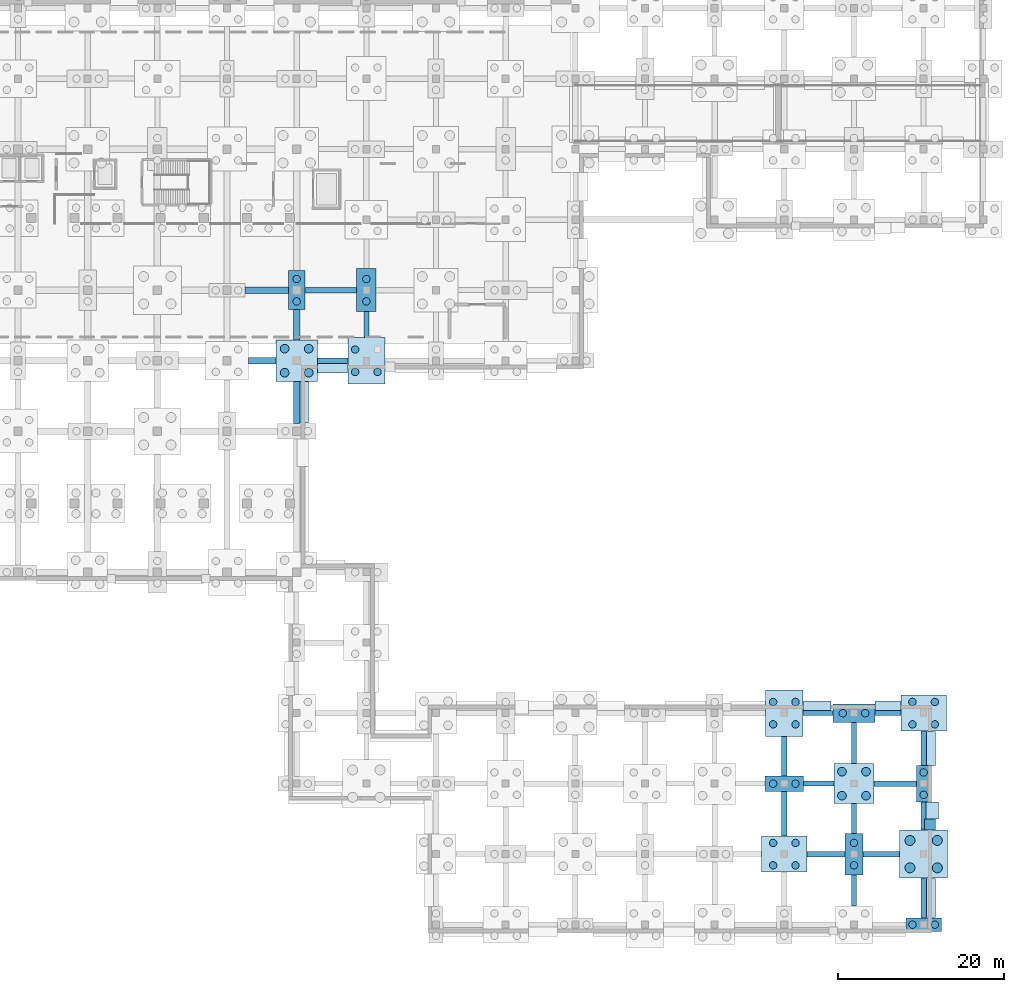
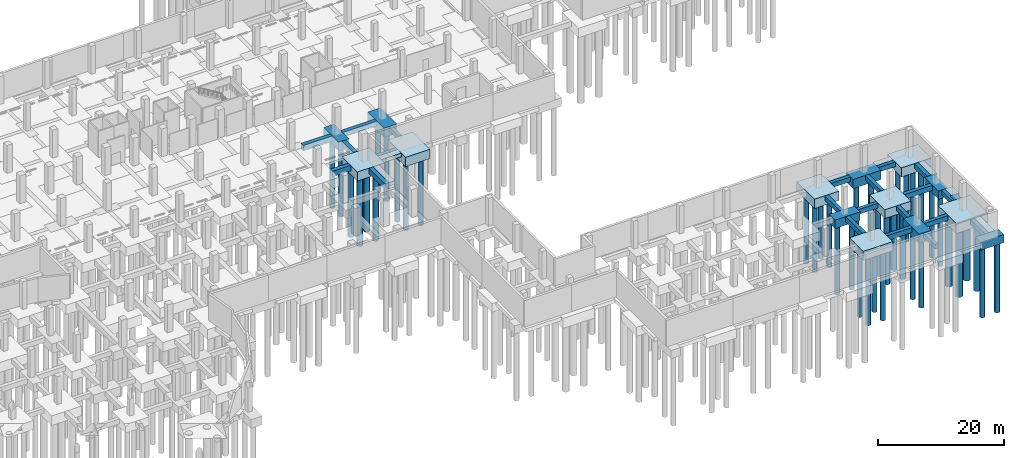
# One storey, part 14 of 34: 43 footings, 41 piles.
"""IFC4 building model written with IfcOpenShell, lengths in metres."""

from ifc_helpers import new_model, si_unit, direction, frame, origin, origin_2d, place, context, subcontext, project, spatial, rectangle, circle, extrude, material, material_profile, profile_set, type_object, element, save


model = new_model("IFC4")

# Units and contexts
model_context = context("Model", 3, precision=1e-05, world=origin(), true_north=direction((0.0, 1.0)))
body_context = subcontext(model_context, "Body", "Model", "MODEL_VIEW")
ifc_project = project(units=[si_unit("LENGTHUNIT", "METRE"), si_unit("AREAUNIT", "SQUARE_METRE"), si_unit("VOLUMEUNIT", "CUBIC_METRE"), si_unit("PLANEANGLEUNIT", "RADIAN"), si_unit("MASSUNIT", "GRAM", prefix="KILO")], contexts=[model_context])

# Site, building, storey
site_placement = place(None, origin())
site = spatial("IfcSite", under=ifc_project, at=site_placement, CompositionType="ELEMENT")
building_placement = place(site_placement, origin())
building = spatial("IfcBuilding", under=site, at=building_placement, Name="Solvento Point Concert Hall", CompositionType="ELEMENT")
storey_placement = place(building_placement, frame((0.0, 0.0, -5.39990234375)))
storey = spatial("IfcBuildingStorey", under=building, at=storey_placement, Name="B01", CompositionType="ELEMENT", Elevation=-5.39990234375)

# Piles
ifc_material_1 = material(Name="Concrete C40/50", Category="concrete")
ifc_material_profile_1 = material_profile(ifc_material_1, circle(Radius=0.52490234375, at=origin_2d()), Name="BP-1050")
ifc_profile_set_1 = profile_set([ifc_material_profile_1], Name="Concrete C40/50")
pile_type_1 = type_object("IfcPileType", Name="BoredPile_1050", PredefinedType="BORED", material=ifc_profile_set_1)
for number, where, z_axis, x_axis, name in (
    (1, (131.75, 66.550048828125, -1.66015625), (0.0, 0.0, -1.0), (1.0, 0.0, 0.0), "Bored pile BoredPile_1050 #451"),
    (2, (134.64990234375, 66.550048828125, -1.66015625), (0.0, 0.0, -1.0), (1.0, 0.0, 0.0), "Bored pile BoredPile_1050 #452"),
    (3, (131.75, 69.449951171875, -1.66015625), (0.0, 0.0, -1.0), (1.0, 0.0, 0.0), "Bored pile BoredPile_1050 #453"),
    (4, (134.64990234375, 69.449951171875, -1.66015625), (0.0, 0.0, -1.0), (1.0, 0.0, 0.0), "Bored pile BoredPile_1050 #454"),
):
    element("IfcPile", number, at=place(storey_placement, frame(where, z_axis=z_axis, x_axis=x_axis)), inside=storey, type_object=pile_type_1, Name=name, PredefinedType="BORED", context=body_context, shape_type="SweptSolid", body=[
        extrude(circle(Radius=0.52490234375, at=origin_2d()), origin(), (0.0, 0.0, 1.0), 13.43994140625),
    ])
for number, where, z_axis, x_axis, name in (
    (5, (198.949951171875, 15.550048828125, -1.6201171875), (0.0, 0.0, -1.0), (1.0, 0.0, 0.0), "Bored pile BoredPile_1050 #733"),
    (6, (201.85009765625, 15.550048828125, -1.6201171875), (0.0, 0.0, -1.0), (1.0, 0.0, 0.0), "Bored pile BoredPile_1050 #734"),
    (7, (198.949951171875, 18.449951171875, -1.6201171875), (0.0, 0.0, -1.0), (1.0, 0.0, 0.0), "Bored pile BoredPile_1050 #735"),
    (8, (201.85009765625, 18.449951171875, -1.6201171875), (0.0, 0.0, -1.0), (1.0, 0.0, 0.0), "Bored pile BoredPile_1050 #736"),
):
    element("IfcPile", number, at=place(storey_placement, frame(where, z_axis=z_axis, x_axis=x_axis)), inside=storey, type_object=pile_type_1, Name=name, PredefinedType="BORED", context=body_context, shape_type="SweptSolid", body=[
        extrude(circle(Radius=0.52490234375, at=origin_2d()), origin(), (0.0, 0.0, 1.0), 13.47998046875),
    ])
ifc_material_2 = material(Name="Concrete C40/50", Category="concrete")
ifc_material_profile_2 = material_profile(ifc_material_2, circle(Radius=0.60009765625, at=origin_2d()), Name="BP-1200")
ifc_profile_set_2 = profile_set([ifc_material_profile_2], Name="Concrete C40/50")
pile_type_2 = type_object("IfcPileType", Name="BoredPile_1200", PredefinedType="BORED", material=ifc_profile_set_2)
for number, where, z_axis, x_axis, name in (
    (9, (207.14990234375, 6.85009765625, -1.85009765625), (0.0, 0.0, -1.0), (1.0, 0.0, 0.0), "Bored pile BoredPile_1200 #763"),
    (10, (210.449951171875, 6.85009765625, -1.85009765625), (0.0, 0.0, -1.0), (1.0, 0.0, 0.0), "Bored pile BoredPile_1200 #764"),
    (11, (207.14990234375, 10.14990234375, -1.85009765625), (0.0, 0.0, -1.0), (1.0, 0.0, 0.0), "Bored pile BoredPile_1200 #765"),
    (12, (210.449951171875, 10.14990234375, -1.85009765625), (0.0, 0.0, -1.0), (1.0, 0.0, 0.0), "Bored pile BoredPile_1200 #766"),
):
    element("IfcPile", number, at=place(storey_placement, frame(where, z_axis=z_axis, x_axis=x_axis)), inside=storey, type_object=pile_type_2, Name=name, PredefinedType="BORED", context=body_context, shape_type="SweptSolid", body=[
        extrude(circle(Radius=0.60009765625, at=origin_2d()), origin(), (0.0, 0.0, 1.0), 13.25),
    ])
ifc_material_3 = material(Name="Concrete C40/50", Category="concrete")
ifc_material_profile_3 = material_profile(ifc_material_3, circle(Radius=0.449951171875, at=origin_2d()), Name="BP-900")
ifc_profile_set_3 = profile_set([ifc_material_profile_3], Name="Concrete C40/50")
pile_type_3 = type_object("IfcPileType", Name="BoredPile_900", PredefinedType="BORED", material=ifc_profile_set_3)
for number, where, z_axis, x_axis, name in (
    (13, (133.199951171875, 75.14990234375, -1.580078125), (0.0, 0.0, -1.0), (1.0, 0.0, 0.0), "Bored pile BoredPile_900 #455"),
    (14, (133.199951171875, 77.85009765625, -1.580078125), (0.0, 0.0, -1.0), (1.0, 0.0, 0.0), "Bored pile BoredPile_900 #456"),
):
    element("IfcPile", number, at=place(storey_placement, frame(where, z_axis=z_axis, x_axis=x_axis)), inside=storey, type_object=pile_type_3, Name=name, PredefinedType="BORED", context=body_context, shape_type="SweptSolid", body=[
        extrude(circle(Radius=0.449951171875, at=origin_2d()), origin(), (0.0, 0.0, 1.0), 13.52001953125),
    ])
for number, where, z_axis, x_axis, name in (
    (15, (140.25, 66.64990234375, -1.72021484375), (0.0, 0.0, -1.0), (1.0, 0.0, 0.0), "Bored pile BoredPile_900 #487"),
    (16, (142.949951171875, 66.64990234375, -1.72021484375), (0.0, 0.0, -1.0), (1.0, 0.0, 0.0), "Bored pile BoredPile_900 #488"),
    (17, (140.25, 69.35009765625, -1.72021484375), (0.0, 0.0, -1.0), (1.0, 0.0, 0.0), "Bored pile BoredPile_900 #489"),
):
    element("IfcPile", number, at=place(storey_placement, frame(where, z_axis=z_axis, x_axis=x_axis)), inside=storey, type_object=pile_type_3, Name=name, PredefinedType="BORED", context=body_context, shape_type="SweptSolid", body=[
        extrude(circle(Radius=0.449951171875, at=origin_2d()), origin(), (0.0, 0.0, 1.0), 13.3798828125),
    ])
for number, where, z_axis, x_axis, name in (
    (18, (141.60009765625, 75.14990234375, -1.739990234375), (0.0, 0.0, -1.0), (1.0, 0.0, 0.0), "Bored pile BoredPile_900 #491"),
    (19, (141.60009765625, 77.85009765625, -1.739990234375), (0.0, 0.0, -1.0), (1.0, 0.0, 0.0), "Bored pile BoredPile_900 #492"),
):
    element("IfcPile", number, at=place(storey_placement, frame(where, z_axis=z_axis, x_axis=x_axis)), inside=storey, type_object=pile_type_3, Name=name, PredefinedType="BORED", context=body_context, shape_type="SweptSolid", body=[
        extrude(circle(Radius=0.449951171875, at=origin_2d()), origin(), (0.0, 0.0, 1.0), 13.360107421875),
    ])
for number, where, z_axis, x_axis, name in (
    (20, (190.64990234375, 7.14990234375, -1.68017578125), (0.0, 0.0, -1.0), (1.0, 0.0, 0.0), "Bored pile BoredPile_900 #697"),
    (21, (193.35009765625, 7.14990234375, -1.68017578125), (0.0, 0.0, -1.0), (1.0, 0.0, 0.0), "Bored pile BoredPile_900 #698"),
    (22, (190.64990234375, 9.85009765625, -1.68017578125), (0.0, 0.0, -1.0), (1.0, 0.0, 0.0), "Bored pile BoredPile_900 #699"),
    (23, (193.35009765625, 9.85009765625, -1.68017578125), (0.0, 0.0, -1.0), (1.0, 0.0, 0.0), "Bored pile BoredPile_900 #700"),
):
    element("IfcPile", number, at=place(storey_placement, frame(where, z_axis=z_axis, x_axis=x_axis)), inside=storey, type_object=pile_type_3, Name=name, PredefinedType="BORED", context=body_context, shape_type="SweptSolid", body=[
        extrude(circle(Radius=0.449951171875, at=origin_2d()), origin(), (0.0, 0.0, 1.0), 13.419921875),
    ])
for number, where, z_axis, x_axis, name in (
    (24, (190.64990234375, 17.0, -1.550048828125), (0.0, 0.0, -1.0), (1.0, 0.0, 0.0), "Bored pile BoredPile_900 #701"),
    (25, (193.35009765625, 17.0, -1.550048828125), (0.0, 0.0, -1.0), (1.0, 0.0, 0.0), "Bored pile BoredPile_900 #702"),
):
    element("IfcPile", number, at=place(storey_placement, frame(where, z_axis=z_axis, x_axis=x_axis)), inside=storey, type_object=pile_type_3, Name=name, PredefinedType="BORED", context=body_context, shape_type="SweptSolid", body=[
        extrude(circle(Radius=0.449951171875, at=origin_2d()), origin(), (0.0, 0.0, 1.0), 13.550048828125),
    ])
for number, where, z_axis, x_axis, name in (
    (26, (190.64990234375, 24.14990234375, -1.72021484375), (0.0, 0.0, -1.0), (1.0, 0.0, 0.0), "Bored pile BoredPile_900 #703"),
    (27, (193.35009765625, 24.14990234375, -1.72021484375), (0.0, 0.0, -1.0), (1.0, 0.0, 0.0), "Bored pile BoredPile_900 #704"),
    (28, (190.64990234375, 26.85009765625, -1.72021484375), (0.0, 0.0, -1.0), (1.0, 0.0, 0.0), "Bored pile BoredPile_900 #705"),
    (29, (193.35009765625, 26.85009765625, -1.72021484375), (0.0, 0.0, -1.0), (1.0, 0.0, 0.0), "Bored pile BoredPile_900 #706"),
):
    element("IfcPile", number, at=place(storey_placement, frame(where, z_axis=z_axis, x_axis=x_axis)), inside=storey, type_object=pile_type_3, Name=name, PredefinedType="BORED", context=body_context, shape_type="SweptSolid", body=[
        extrude(circle(Radius=0.449951171875, at=origin_2d()), origin(), (0.0, 0.0, 1.0), 13.3798828125),
    ])
for number, where, z_axis, x_axis, name in (
    (30, (200.39990234375, 7.14990234375, -1.68017578125), (0.0, 0.0, -1.0), (1.0, 0.0, 0.0), "Bored pile BoredPile_900 #731"),
    (31, (200.39990234375, 9.85009765625, -1.68017578125), (0.0, 0.0, -1.0), (1.0, 0.0, 0.0), "Bored pile BoredPile_900 #732"),
):
    element("IfcPile", number, at=place(storey_placement, frame(where, z_axis=z_axis, x_axis=x_axis)), inside=storey, type_object=pile_type_3, Name=name, PredefinedType="BORED", context=body_context, shape_type="SweptSolid", body=[
        extrude(circle(Radius=0.449951171875, at=origin_2d()), origin(), (0.0, 0.0, 1.0), 13.419921875),
    ])
for number, where, z_axis, x_axis, name in (
    (32, (199.050048828125, 25.5, -1.7001953125), (0.0, 0.0, -1.0), (1.0, 0.0, 0.0), "Bored pile BoredPile_900 #737"),
    (33, (201.75, 25.5, -1.7001953125), (0.0, 0.0, -1.0), (1.0, 0.0, 0.0), "Bored pile BoredPile_900 #738"),
):
    element("IfcPile", number, at=place(storey_placement, frame(where, z_axis=z_axis, x_axis=x_axis)), inside=storey, type_object=pile_type_3, Name=name, PredefinedType="BORED", context=body_context, shape_type="SweptSolid", body=[
        extrude(circle(Radius=0.449951171875, at=origin_2d()), origin(), (0.0, 0.0, 1.0), 13.39990234375),
    ])
for number, where, z_axis, x_axis, name in (
    (34, (207.449951171875, 0.0, -1.4501953125), (0.0, 0.0, -1.0), (1.0, 0.0, 0.0), "Bored pile BoredPile_900 #761"),
    (35, (210.14990234375, 0.0, -1.4501953125), (0.0, 0.0, -1.0), (1.0, 0.0, 0.0), "Bored pile BoredPile_900 #762"),
):
    element("IfcPile", number, at=place(storey_placement, frame(where, z_axis=z_axis, x_axis=x_axis)), inside=storey, type_object=pile_type_3, Name=name, PredefinedType="BORED", context=body_context, shape_type="SweptSolid", body=[
        extrude(circle(Radius=0.449951171875, at=origin_2d()), origin(), (0.0, 0.0, 1.0), 13.64990234375),
    ])
for number, where, z_axis, x_axis, name in (
    (36, (208.800048828125, 15.64990234375, -1.47998046875), (0.0, 0.0, -1.0), (1.0, 0.0, 0.0), "Bored pile BoredPile_900 #767"),
    (37, (208.800048828125, 18.35009765625, -1.47998046875), (0.0, 0.0, -1.0), (1.0, 0.0, 0.0), "Bored pile BoredPile_900 #768"),
):
    element("IfcPile", number, at=place(storey_placement, frame(where, z_axis=z_axis, x_axis=x_axis)), inside=storey, type_object=pile_type_3, Name=name, PredefinedType="BORED", context=body_context, shape_type="SweptSolid", body=[
        extrude(circle(Radius=0.449951171875, at=origin_2d()), origin(), (0.0, 0.0, 1.0), 13.6201171875),
    ])
for number, where, z_axis, x_axis, name in (
    (38, (207.449951171875, 24.14990234375, -1.68017578125), (0.0, 0.0, -1.0), (1.0, 0.0, 0.0), "Bored pile BoredPile_900 #769"),
    (39, (210.14990234375, 24.14990234375, -1.68017578125), (0.0, 0.0, -1.0), (1.0, 0.0, 0.0), "Bored pile BoredPile_900 #770"),
    (40, (207.449951171875, 26.85009765625, -1.68017578125), (0.0, 0.0, -1.0), (1.0, 0.0, 0.0), "Bored pile BoredPile_900 #771"),
    (41, (210.14990234375, 26.85009765625, -1.68017578125), (0.0, 0.0, -1.0), (1.0, 0.0, 0.0), "Bored pile BoredPile_900 #772"),
):
    element("IfcPile", number, at=place(storey_placement, frame(where, z_axis=z_axis, x_axis=x_axis)), inside=storey, type_object=pile_type_3, Name=name, PredefinedType="BORED", context=body_context, shape_type="SweptSolid", body=[
        extrude(circle(Radius=0.449951171875, at=origin_2d()), origin(), (0.0, 0.0, 1.0), 13.419921875),
    ])

# Footings
ifc_material_4 = material(Name="Concrete C40/50", Category="concrete")
footing_type_1 = type_object("IfcFootingType", Name="PileCap_2A", PredefinedType="PILE_CAP", material=ifc_material_4)
footing_1_placement = place(storey_placement, frame((208.800048828125, 0.0, -1.55029296875), z_axis=(0.0, 0.0, 1.0), x_axis=(1.0, 0.0, 0.0)))
element("IfcFooting", 42, at=footing_1_placement, inside=storey, type_object=footing_type_1, Name="Pile cap PC-2A at G-26-A", PredefinedType="PILE_CAP", context=body_context, shape_type="SweptSolid", body=[
    extrude(rectangle(XDim=4.300048828125, YDim=1.64990234375, at=origin_2d()), origin(), (0.0, 0.0, 1.0), 1.550048828125),
])
ifc_material_5 = material(Name="Concrete C40/50", Category="concrete")
footing_type_2 = type_object("IfcFootingType", Name="PileCap_2B", PredefinedType="PILE_CAP", material=ifc_material_5)
footing_2_placement = place(storey_placement, frame((208.800048828125, 17.0, -1.580078125), z_axis=(0.0, 0.0, 1.0), x_axis=(1.0, 0.0, 0.0)))
element("IfcFooting", 43, at=footing_2_placement, inside=storey, type_object=footing_type_2, Name="Pile cap PC-2B at G-26-C", PredefinedType="PILE_CAP", context=body_context, shape_type="SweptSolid", body=[
    extrude(rectangle(XDim=1.719970703125, YDim=4.3798828125, at=origin_2d()), origin(), (0.0, 0.0, 1.0), 1.580078125),
])
ifc_material_6 = material(Name="Concrete C40/50", Category="concrete")
footing_type_3 = type_object("IfcFootingType", Name="PileCap_2E", PredefinedType="PILE_CAP", material=ifc_material_6)
footing_3_placement = place(storey_placement, frame((192.0, 17.0, -1.650146484375), z_axis=(0.0, 0.0, 1.0), x_axis=(1.0, 0.0, 0.0)))
element("IfcFooting", 44, at=footing_3_placement, inside=storey, type_object=footing_type_3, Name="Pile cap PC-2E at G-24-C", PredefinedType="PILE_CAP", context=body_context, shape_type="SweptSolid", body=[
    extrude(rectangle(XDim=4.6201171875, YDim=1.89990234375, at=origin_2d()), origin(), (0.0, 0.0, 1.0), 1.64990234375),
])
ifc_material_7 = material(Name="Concrete C40/50", Category="concrete")
footing_type_4 = type_object("IfcFootingType", Name="PileCap_2F", PredefinedType="PILE_CAP", material=ifc_material_7)
footing_4_placement = place(storey_placement, frame((133.199951171875, 76.5, -1.68017578125), z_axis=(0.0, 0.0, 1.0), x_axis=(1.0, 0.0, 0.0)))
element("IfcFooting", 45, at=footing_4_placement, inside=storey, type_object=footing_type_4, Name="Pile cap PC-2F at G-17-K", PredefinedType="PILE_CAP", context=body_context, shape_type="SweptSolid", body=[
    extrude(rectangle(XDim=1.9599609375, YDim=4.699951171875, at=origin_2d()), origin(), (0.0, 0.0, 1.0), 1.679931640625),
])
ifc_material_8 = material(Name="Concrete C40/50", Category="concrete")
footing_type_5 = type_object("IfcFootingType", Name="PileCap_2K", PredefinedType="PILE_CAP", material=ifc_material_8)
footing_5_placement = place(storey_placement, frame((200.39990234375, 8.5, -1.7802734375), z_axis=(0.0, 0.0, 1.0), x_axis=(1.0, 0.0, 0.0)))
element("IfcFooting", 46, at=footing_5_placement, inside=storey, type_object=footing_type_5, Name="Pile cap PC-2K at G-25-B", PredefinedType="PILE_CAP", context=body_context, shape_type="SweptSolid", body=[
    extrude(rectangle(XDim=2.199951171875, YDim=5.02001953125, at=origin_2d()), origin(), (0.0, 0.0, 1.0), 1.780029296875),
])
ifc_material_9 = material(Name="Concrete C40/50", Category="concrete")
footing_type_6 = type_object("IfcFootingType", Name="PileCap_2L", PredefinedType="PILE_CAP", material=ifc_material_9)
footing_6_placement = place(storey_placement, frame((200.39990234375, 25.5, -1.80029296875), z_axis=(0.0, 0.0, 1.0), x_axis=(1.0, 0.0, 0.0)))
element("IfcFooting", 47, at=footing_6_placement, inside=storey, type_object=footing_type_6, Name="Pile cap PC-2L at G-25-D", PredefinedType="PILE_CAP", context=body_context, shape_type="SweptSolid", body=[
    extrude(rectangle(XDim=5.10009765625, YDim=2.260009765625, at=origin_2d()), origin(), (0.0, 0.0, 1.0), 1.800048828125),
])
ifc_material_10 = material(Name="Concrete C40/50", Category="concrete")
footing_type_7 = type_object("IfcFootingType", Name="PileCap_2M", PredefinedType="PILE_CAP", material=ifc_material_10)
footing_7_placement = place(storey_placement, frame((141.60009765625, 76.5, -1.84033203125), z_axis=(0.0, 0.0, 1.0), x_axis=(1.0, 0.0, 0.0)))
element("IfcFooting", 48, at=footing_7_placement, inside=storey, type_object=footing_type_7, Name="Pile cap PC-2M at G-18-K", PredefinedType="PILE_CAP", context=body_context, shape_type="SweptSolid", body=[
    extrude(rectangle(XDim=2.320068359375, YDim=5.179931640625, at=origin_2d()), origin(), (0.0, 0.0, 1.0), 1.840087890625),
])
ifc_material_11 = material(Name="Concrete C40/50", Category="concrete")
footing_type_8 = type_object("IfcFootingType", Name="PileCap_4C", PredefinedType="PILE_CAP", material=ifc_material_11)
footing_8_placement = place(storey_placement, frame((200.39990234375, 17.0, -1.72021484375), z_axis=(0.0, 0.0, 1.0), x_axis=(1.0, 0.0, 0.0)))
element("IfcFooting", 49, at=footing_8_placement, inside=storey, type_object=footing_type_8, Name="Pile cap PC-4C at G-25-C", PredefinedType="PILE_CAP", context=body_context, shape_type="SweptSolid", body=[
    extrude(rectangle(XDim=4.820068359375, YDim=4.820068359375, at=origin_2d()), origin(), (0.0, 0.0, 1.0), 1.719970703125),
])
ifc_material_12 = material(Name="Concrete C40/50", Category="concrete")
footing_type_9 = type_object("IfcFootingType", Name="PileCap_4D", PredefinedType="PILE_CAP", material=ifc_material_12)
footing_9_placement = place(storey_placement, frame((133.199951171875, 68.0, -1.76025390625), z_axis=(0.0, 0.0, 1.0), x_axis=(1.0, 0.0, 0.0)))
element("IfcFooting", 50, at=footing_9_placement, inside=storey, type_object=footing_type_9, Name="Pile cap PC-4D at G-17-J", PredefinedType="PILE_CAP", context=body_context, shape_type="SweptSolid", body=[
    extrude(rectangle(XDim=4.97998046875, YDim=4.97998046875, at=origin_2d()), origin(), (0.0, 0.0, 1.0), 1.760009765625),
])
ifc_material_13 = material(Name="Concrete C40/50", Category="concrete")
footing_type_10 = type_object("IfcFootingType", Name="PileCap_4H", PredefinedType="PILE_CAP", material=ifc_material_13)
footing_10_placement = place(storey_placement, frame((208.800048828125, 8.5, -1.9501953125), z_axis=(0.0, 0.0, 1.0), x_axis=(1.0, 0.0, 0.0)))
element("IfcFooting", 51, at=footing_10_placement, inside=storey, type_object=footing_type_10, Name="Pile cap PC-4H at G-26-B", PredefinedType="PILE_CAP", context=body_context, shape_type="SweptSolid", body=[
    extrude(rectangle(XDim=5.800048828125, YDim=5.800048828125, at=origin_2d()), origin(), (0.0, 0.0, 1.0), 1.949951171875),
])
ifc_material_14 = material(Name="Concrete C40/50", Category="concrete")
footing_type_11 = type_object("IfcFootingType", Name="PileCap_4J", PredefinedType="PILE_CAP", material=ifc_material_14)
for number, where, z_axis, x_axis, name in (
    (52, (192.0, 8.5, -1.7802734375), (0.0, 0.0, 1.0), (1.0, 0.0, 0.0), "Pile cap PC-4J at G-24-B"),
    (53, (208.800048828125, 25.5, -1.7802734375), (0.0, 0.0, 1.0), (1.0, 0.0, 0.0), "Pile cap PC-4J at G-26-D"),
):
    element("IfcFooting", number, at=place(storey_placement, frame(where, z_axis=z_axis, x_axis=x_axis)), inside=storey, type_object=footing_type_11, Name=name, PredefinedType="PILE_CAP", context=body_context, shape_type="SweptSolid", body=[
        extrude(rectangle(XDim=5.4599609375, YDim=4.360107421875, at=origin_2d()), origin(), (0.0, 0.0, 1.0), 1.780029296875),
    ])
ifc_material_15 = material(Name="Concrete C40/50", Category="concrete")
footing_type_12 = type_object("IfcFootingType", Name="PileCap_4K", PredefinedType="PILE_CAP", material=ifc_material_15)
for number, where, z_axis, x_axis, name in (
    (54, (141.60009765625, 68.0, -1.8203125), (0.0, 0.0, 1.0), (1.0, 0.0, 0.0), "Pile cap PC-4K at G-18-J"),
    (55, (192.0, 25.5, -1.8203125), (0.0, 0.0, 1.0), (1.0, 0.0, 0.0), "Pile cap PC-4K at G-24-D"),
):
    element("IfcFooting", number, at=place(storey_placement, frame(where, z_axis=z_axis, x_axis=x_axis)), inside=storey, type_object=footing_type_12, Name=name, PredefinedType="PILE_CAP", context=body_context, shape_type="SweptSolid", body=[
        extrude(rectangle(XDim=4.47998046875, YDim=5.60009765625, at=origin_2d()), origin(), (0.0, 0.0, 1.0), 1.820068359375),
    ])
ifc_material_16 = material(Name="Concrete C40/50", Category="concrete")
footing_type_13 = type_object("IfcFootingType", Name="StripFooting_1400x700", PredefinedType="STRIP_FOOTING", material=ifc_material_16)
footing_11_placement = place(storey_placement, frame((137.52490234375, 67.2451171875, -0.7001953125), z_axis=(0.0, 0.0, 1.0), x_axis=(-1.0, 0.0, 0.0)))
element("IfcFooting", 56, at=footing_11_placement, inside=storey, type_object=footing_type_13, Name="Strip footing SF-02", PredefinedType="STRIP_FOOTING", context=body_context, shape_type="SweptSolid", body=[
    extrude(rectangle(XDim=3.64990234375, YDim=1.39990234375, at=origin_2d()), origin(), (0.0, 0.0, 1.0), 0.699951171875),
])
footing_12_placement = place(storey_placement, frame((133.955078125, 62.97998046875, -0.7001953125), z_axis=(0.0, 0.0, 1.0), x_axis=(0.0, -1.0, 0.0)))
element("IfcFooting", 57, at=footing_12_placement, inside=storey, type_object=footing_type_13, Name="Strip footing SF-02", PredefinedType="STRIP_FOOTING", context=body_context, shape_type="SweptSolid", body=[
    extrude(rectangle(XDim=5.0400390625, YDim=1.39990234375, at=origin_2d()), origin(), (0.0, 0.0, 1.0), 0.699951171875),
])
footing_13_placement = place(storey_placement, frame((195.93896484375, 26.2548828125, -0.7001953125), z_axis=(0.0, 0.0, 1.0), x_axis=(1.0, 0.0, 0.0)))
element("IfcFooting", 58, at=footing_13_placement, inside=storey, type_object=footing_type_13, Name="Strip footing SF-02", PredefinedType="STRIP_FOOTING", context=body_context, shape_type="SweptSolid", body=[
    extrude(rectangle(XDim=3.3779296875, YDim=1.39990234375, at=origin_2d()), origin(), (0.0, 0.0, 1.0), 0.699951171875),
])
footing_14_placement = place(storey_placement, frame((204.510009765625, 26.2548828125, -0.7001953125), z_axis=(0.0, 0.0, 1.0), x_axis=(1.0, 0.0, 0.0)))
element("IfcFooting", 59, at=footing_14_placement, inside=storey, type_object=footing_type_13, Name="Strip footing SF-02", PredefinedType="STRIP_FOOTING", context=body_context, shape_type="SweptSolid", body=[
    extrude(rectangle(XDim=3.10009765625, YDim=1.39990234375, at=origin_2d()), origin(), (0.0, 0.0, 1.0), 0.699951171875),
])
footing_15_placement = place(storey_placement, frame((209.554931640625, 21.2548828125, -0.7001953125), z_axis=(0.0, 0.0, 1.0), x_axis=(0.0, -1.0, 0.0)))
element("IfcFooting", 60, at=footing_15_placement, inside=storey, type_object=footing_type_13, Name="Strip footing SF-02", PredefinedType="STRIP_FOOTING", context=body_context, shape_type="SweptSolid", body=[
    extrude(rectangle(XDim=4.110107421875, YDim=1.39990234375, at=origin_2d()), origin(), (0.0, 0.0, 1.0), 0.699951171875),
])
footing_16_placement = place(storey_placement, frame((209.554931640625, 13.77490234375, -0.7001953125), z_axis=(0.0, 0.0, 1.0), x_axis=(0.0, -1.0, 0.0)))
element("IfcFooting", 61, at=footing_16_placement, inside=storey, type_object=footing_type_13, Name="Strip footing SF-02", PredefinedType="STRIP_FOOTING", context=body_context, shape_type="SweptSolid", body=[
    extrude(rectangle(XDim=2.050048828125, YDim=2.050048828125, at=origin_2d()), origin(), (0.0, 0.0, 1.0), 0.699951171875),
])
footing_17_placement = place(storey_placement, frame((209.554931640625, 12.074951171875, -0.7001953125), z_axis=(0.0, 0.0, 1.0), x_axis=(0.0, -1.0, 0.0)))
element("IfcFooting", 62, at=footing_17_placement, inside=storey, type_object=footing_type_13, Name="Strip footing SF-02", PredefinedType="STRIP_FOOTING", context=body_context, shape_type="SweptSolid", body=[
    extrude(rectangle(XDim=1.330078125, YDim=1.330078125, at=origin_2d()), origin(), (0.0, 0.0, 1.0), 0.699951171875),
])
footing_18_placement = place(storey_placement, frame((209.554931640625, 3.21240234375, -0.7001953125), z_axis=(0.0, 0.0, 1.0), x_axis=(0.0, -1.0, 0.0)))
element("IfcFooting", 63, at=footing_18_placement, inside=storey, type_object=footing_type_13, Name="Strip footing SF-02", PredefinedType="STRIP_FOOTING", context=body_context, shape_type="SweptSolid", body=[
    extrude(rectangle(XDim=4.7548828125, YDim=1.39990234375, at=origin_2d()), origin(), (0.0, 0.0, 1.0), 0.699951171875),
])
ifc_material_17 = material(Name="Concrete C40/50", Category="concrete")
footing_type_14 = type_object("IfcFootingType", Name="TieBeam_600x900", PredefinedType="FOOTING_BEAM", material=ifc_material_17)
footing_19_placement = place(storey_placement, frame((204.510009765625, 25.5, -0.900146484375), z_axis=(0.0, 0.0, 1.0), x_axis=(1.0, 0.0, 0.0)))
element("IfcFooting", 64, at=footing_19_placement, inside=storey, type_object=footing_type_14, Name="Seismic tie beam GB-01", PredefinedType="FOOTING_BEAM", context=body_context, shape_type="SweptSolid", body=[
    extrude(rectangle(XDim=3.1201171875, YDim=0.60009765625, at=origin_2d()), origin(), (0.0, 0.0, 1.0), 0.89990234375),
])
footing_20_placement = place(storey_placement, frame((141.60009765625, 72.35498046875, -0.900146484375), z_axis=(0.0, 0.0, 1.0), x_axis=(0.0, 1.0, 0.0)))
element("IfcFooting", 65, at=footing_20_placement, inside=storey, type_object=footing_type_14, Name="Seismic tie beam GB-01", PredefinedType="FOOTING_BEAM", context=body_context, shape_type="SweptSolid", body=[
    extrude(rectangle(XDim=3.110107421875, YDim=0.60009765625, at=origin_2d()), origin(), (0.0, 0.0, 1.0), 0.89990234375),
])
footing_21_placement = place(storey_placement, frame((200.39990234375, 12.800048828125, -0.900146484375), z_axis=(0.0, 0.0, 1.0), x_axis=(0.0, 1.0, 0.0)))
element("IfcFooting", 66, at=footing_21_placement, inside=storey, type_object=footing_type_14, Name="Seismic tie beam GB-01", PredefinedType="FOOTING_BEAM", context=body_context, shape_type="SweptSolid", body=[
    extrude(rectangle(XDim=3.580078125, YDim=0.60009765625, at=origin_2d()), origin(), (0.0, 0.0, 1.0), 0.89990234375),
])
footing_22_placement = place(storey_placement, frame((208.800048828125, 13.10498046875, -0.900146484375), z_axis=(0.0, 0.0, 1.0), x_axis=(0.0, 1.0, 0.0)))
element("IfcFooting", 67, at=footing_22_placement, inside=storey, type_object=footing_type_14, Name="Seismic tie beam GB-01", PredefinedType="FOOTING_BEAM", context=body_context, shape_type="SweptSolid", body=[
    extrude(rectangle(XDim=3.409912109375, YDim=0.60009765625, at=origin_2d()), origin(), (0.0, 0.0, 1.0), 0.89990234375),
])
ifc_material_18 = material(Name="Concrete C40/50", Category="concrete")
footing_type_15 = type_object("IfcFootingType", Name="TieBeam_620x920", PredefinedType="FOOTING_BEAM", material=ifc_material_18)
footing_23_placement = place(storey_placement, frame((196.14990234375, 17.0, -0.920166015625), z_axis=(0.0, 0.0, 1.0), x_axis=(1.0, 0.0, 0.0)))
element("IfcFooting", 68, at=footing_23_placement, inside=storey, type_object=footing_type_15, Name="Seismic tie beam GB-02", PredefinedType="FOOTING_BEAM", context=body_context, shape_type="SweptSolid", body=[
    extrude(rectangle(XDim=3.679931640625, YDim=0.6201171875, at=origin_2d()), origin(), (0.0, 0.0, 1.0), 0.919921875),
])
footing_24_placement = place(storey_placement, frame((196.044921875, 25.5, -0.920166015625), z_axis=(0.0, 0.0, 1.0), x_axis=(1.0, 0.0, 0.0)))
element("IfcFooting", 69, at=footing_24_placement, inside=storey, type_object=footing_type_15, Name="Seismic tie beam GB-02", PredefinedType="FOOTING_BEAM", context=body_context, shape_type="SweptSolid", body=[
    extrude(rectangle(XDim=3.610107421875, YDim=0.6201171875, at=origin_2d()), origin(), (0.0, 0.0, 1.0), 0.919921875),
])
footing_25_placement = place(storey_placement, frame((137.52490234375, 68.0, -0.920166015625), z_axis=(0.0, 0.0, 1.0), x_axis=(1.0, 0.0, 0.0)))
element("IfcFooting", 70, at=footing_25_placement, inside=storey, type_object=footing_type_15, Name="Seismic tie beam GB-02", PredefinedType="FOOTING_BEAM", context=body_context, shape_type="SweptSolid", body=[
    extrude(rectangle(XDim=3.669921875, YDim=0.6201171875, at=origin_2d()), origin(), (0.0, 0.0, 1.0), 0.919921875),
])
footing_26_placement = place(storey_placement, frame((200.39990234375, 4.1201171875, -0.920166015625), z_axis=(0.0, 0.0, 1.0), x_axis=(0.0, 1.0, 0.0)))
element("IfcFooting", 71, at=footing_26_placement, inside=storey, type_object=footing_type_15, Name="Seismic tie beam GB-02", PredefinedType="FOOTING_BEAM", context=body_context, shape_type="SweptSolid", body=[
    extrude(rectangle(XDim=3.739990234375, YDim=0.6201171875, at=origin_2d()), origin(), (0.0, 0.0, 1.0), 0.919921875),
])
ifc_material_19 = material(Name="Concrete C40/50", Category="concrete")
footing_type_16 = type_object("IfcFootingType", Name="TieBeam_650x950", PredefinedType="FOOTING_BEAM", material=ifc_material_19)
footing_27_placement = place(storey_placement, frame((197.014892578125, 8.5, -0.9501953125), z_axis=(0.0, 0.0, 1.0), x_axis=(1.0, 0.0, 0.0)))
element("IfcFooting", 72, at=footing_27_placement, inside=storey, type_object=footing_type_16, Name="Seismic tie beam GB-03", PredefinedType="FOOTING_BEAM", context=body_context, shape_type="SweptSolid", body=[
    extrude(rectangle(XDim=4.570068359375, YDim=0.64990234375, at=origin_2d()), origin(), (0.0, 0.0, 1.0), 0.949951171875),
])
footing_28_placement = place(storey_placement, frame((203.699951171875, 8.5, -0.9501953125), z_axis=(0.0, 0.0, 1.0), x_axis=(1.0, 0.0, 0.0)))
element("IfcFooting", 73, at=footing_28_placement, inside=storey, type_object=footing_type_16, Name="Seismic tie beam GB-03", PredefinedType="FOOTING_BEAM", context=body_context, shape_type="SweptSolid", body=[
    extrude(rectangle(XDim=4.39990234375, YDim=0.64990234375, at=origin_2d()), origin(), (0.0, 0.0, 1.0), 0.949951171875),
])
footing_29_placement = place(storey_placement, frame((192.0, 20.324951171875, -0.9501953125), z_axis=(0.0, 0.0, 1.0), x_axis=(0.0, 1.0, 0.0)))
element("IfcFooting", 74, at=footing_29_placement, inside=storey, type_object=footing_type_16, Name="Seismic tie beam GB-03", PredefinedType="FOOTING_BEAM", context=body_context, shape_type="SweptSolid", body=[
    extrude(rectangle(XDim=4.75, YDim=0.64990234375, at=origin_2d()), origin(), (0.0, 0.0, 1.0), 0.949951171875),
])
footing_30_placement = place(storey_placement, frame((200.39990234375, 21.889892578125, -0.9501953125), z_axis=(0.0, 0.0, 1.0), x_axis=(0.0, 1.0, 0.0)))
element("IfcFooting", 75, at=footing_30_placement, inside=storey, type_object=footing_type_16, Name="Seismic tie beam GB-03", PredefinedType="FOOTING_BEAM", context=body_context, shape_type="SweptSolid", body=[
    extrude(rectangle(XDim=4.9599609375, YDim=0.64990234375, at=origin_2d()), origin(), (0.0, 0.0, 1.0), 0.949951171875),
])
footing_31_placement = place(storey_placement, frame((208.800048828125, 3.21240234375, -0.9501953125), z_axis=(0.0, 0.0, 1.0), x_axis=(0.0, 1.0, 0.0)))
element("IfcFooting", 76, at=footing_31_placement, inside=storey, type_object=footing_type_16, Name="Seismic tie beam GB-03", PredefinedType="FOOTING_BEAM", context=body_context, shape_type="SweptSolid", body=[
    extrude(rectangle(XDim=4.77490234375, YDim=0.64990234375, at=origin_2d()), origin(), (0.0, 0.0, 1.0), 0.949951171875),
])
footing_32_placement = place(storey_placement, frame((208.800048828125, 21.2548828125, -0.9501953125), z_axis=(0.0, 0.0, 1.0), x_axis=(0.0, 1.0, 0.0)))
element("IfcFooting", 77, at=footing_32_placement, inside=storey, type_object=footing_type_16, Name="Seismic tie beam GB-03", PredefinedType="FOOTING_BEAM", context=body_context, shape_type="SweptSolid", body=[
    extrude(rectangle(XDim=4.1298828125, YDim=0.64990234375, at=origin_2d()), origin(), (0.0, 0.0, 1.0), 0.949951171875),
])
ifc_material_20 = material(Name="Concrete C40/50", Category="concrete")
footing_type_17 = type_object("IfcFootingType", Name="TieBeam_680x980", PredefinedType="FOOTING_BEAM", material=ifc_material_20)
footing_33_placement = place(storey_placement, frame((205.375, 17.0, -0.97998046875), z_axis=(0.0, 0.0, 1.0), x_axis=(1.0, 0.0, 0.0)))
element("IfcFooting", 78, at=footing_33_placement, inside=storey, type_object=footing_type_17, Name="Seismic tie beam GB-04", PredefinedType="FOOTING_BEAM", context=body_context, shape_type="SweptSolid", body=[
    extrude(rectangle(XDim=5.1298828125, YDim=0.679931640625, at=origin_2d()), origin(), (0.0, 0.0, 1.0), 0.97998046875),
])
footing_34_placement = place(storey_placement, frame((137.31005859375, 76.5, -0.97998046875), z_axis=(0.0, 0.0, 1.0), x_axis=(1.0, 0.0, 0.0)))
element("IfcFooting", 79, at=footing_34_placement, inside=storey, type_object=footing_type_17, Name="Seismic tie beam GB-04", PredefinedType="FOOTING_BEAM", context=body_context, shape_type="SweptSolid", body=[
    extrude(rectangle(XDim=6.260009765625, YDim=0.679931640625, at=origin_2d()), origin(), (0.0, 0.0, 1.0), 0.97998046875),
])
footing_35_placement = place(storey_placement, frame((192.0, 13.364990234375, -0.97998046875), z_axis=(0.0, 0.0, 1.0), x_axis=(0.0, 1.0, 0.0)))
element("IfcFooting", 80, at=footing_35_placement, inside=storey, type_object=footing_type_17, Name="Seismic tie beam GB-04", PredefinedType="FOOTING_BEAM", context=body_context, shape_type="SweptSolid", body=[
    extrude(rectangle(XDim=5.3701171875, YDim=0.679931640625, at=origin_2d()), origin(), (0.0, 0.0, 1.0), 0.97998046875),
])
ifc_material_21 = material(Name="Concrete C40/50", Category="concrete")
footing_type_18 = type_object("IfcFootingType", Name="TieBeam_750x1050", PredefinedType="FOOTING_BEAM", material=ifc_material_21)
footing_36_placement = place(storey_placement, frame((129.044921875, 68.0, -1.05029296875), z_axis=(0.0, 0.0, 1.0), x_axis=(1.0, 0.0, 0.0)))
element("IfcFooting", 81, at=footing_36_placement, inside=storey, type_object=footing_type_18, Name="Seismic tie beam GB-07", PredefinedType="FOOTING_BEAM", context=body_context, shape_type="SweptSolid", body=[
    extrude(rectangle(XDim=3.330078125, YDim=0.75, at=origin_2d()), origin(), (0.0, 0.0, 1.0), 1.050048828125),
])
footing_37_placement = place(storey_placement, frame((129.5849609375, 76.5, -1.05029296875), z_axis=(0.0, 0.0, 1.0), x_axis=(1.0, 0.0, 0.0)))
element("IfcFooting", 82, at=footing_37_placement, inside=storey, type_object=footing_type_18, Name="Seismic tie beam GB-07", PredefinedType="FOOTING_BEAM", context=body_context, shape_type="SweptSolid", body=[
    extrude(rectangle(XDim=5.27001953125, YDim=0.75, at=origin_2d()), origin(), (0.0, 0.0, 1.0), 1.050048828125),
])
footing_38_placement = place(storey_placement, frame((133.199951171875, 62.97998046875, -1.05029296875), z_axis=(0.0, 0.0, 1.0), x_axis=(0.0, 1.0, 0.0)))
element("IfcFooting", 83, at=footing_38_placement, inside=storey, type_object=footing_type_18, Name="Seismic tie beam GB-07", PredefinedType="FOOTING_BEAM", context=body_context, shape_type="SweptSolid", body=[
    extrude(rectangle(XDim=5.06005859375, YDim=0.75, at=origin_2d()), origin(), (0.0, 0.0, 1.0), 1.050048828125),
])
footing_39_placement = place(storey_placement, frame((133.199951171875, 72.320068359375, -1.05029296875), z_axis=(0.0, 0.0, 1.0), x_axis=(0.0, 1.0, 0.0)))
element("IfcFooting", 84, at=footing_39_placement, inside=storey, type_object=footing_type_18, Name="Seismic tie beam GB-07", PredefinedType="FOOTING_BEAM", context=body_context, shape_type="SweptSolid", body=[
    extrude(rectangle(XDim=3.659912109375, YDim=0.75, at=origin_2d()), origin(), (0.0, 0.0, 1.0), 1.050048828125),
])

save(model, "model.ifc")
